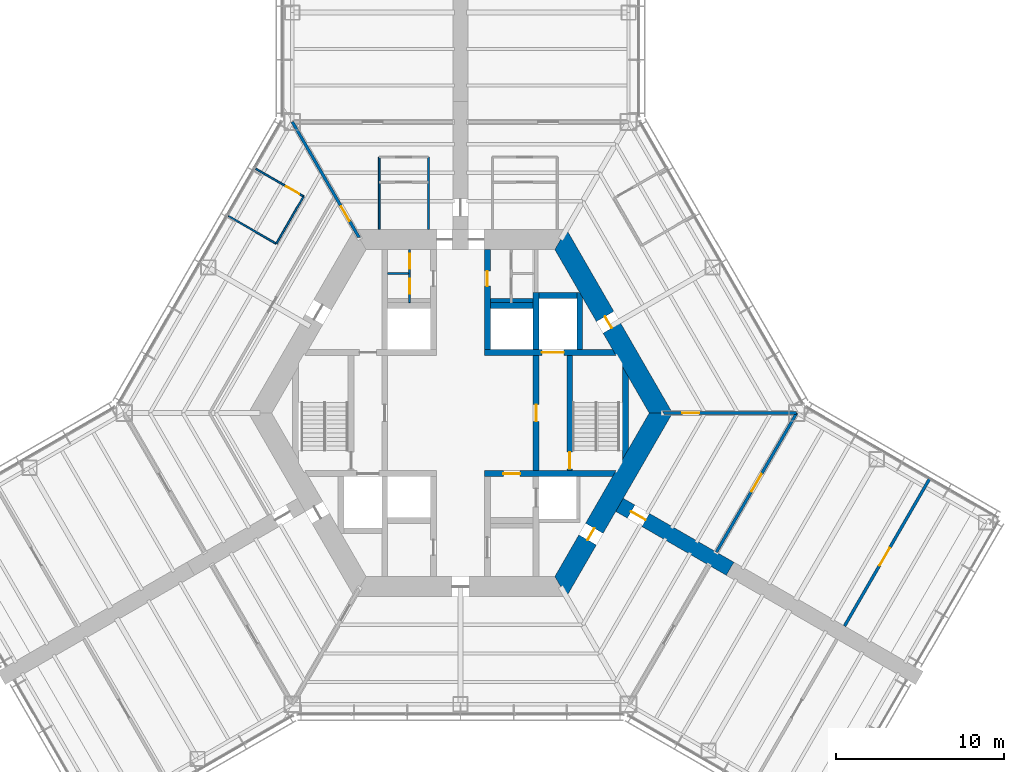
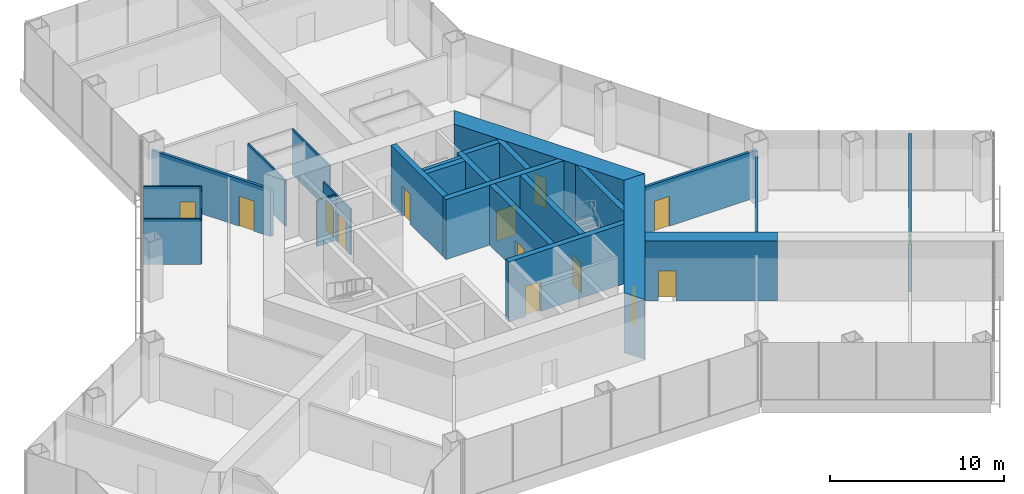
# One storey, part 12 of 16: 25 walls, 15 doors, 15 openings.
"""IFC4 building model written with IfcOpenShell, lengths in metres."""

from ifc_helpers import new_model, si_unit, direction, frame, frame_2d, origin, place, context, subcontext, project, spatial, polyline, rectangle, outline, extrude, material, layer, layer_set, type_object, element, fill, save


model = new_model("IFC4")

# Units and contexts
model_context = context("Model", 3, precision=1e-05, world=origin(), true_north=direction((0.0, 1.0)))
body_context = subcontext(model_context, "Body", "Model", "MODEL_VIEW")
ifc_project = project(units=[si_unit("LENGTHUNIT", "METRE"), si_unit("AREAUNIT", "SQUARE_METRE"), si_unit("VOLUMEUNIT", "CUBIC_METRE"), si_unit("PLANEANGLEUNIT", "RADIAN"), si_unit("MASSUNIT", "GRAM", prefix="KILO")], contexts=[model_context])

# Site, building, storey
site_placement = place(None, origin())
site = spatial("IfcSite", under=ifc_project, at=site_placement, CompositionType="ELEMENT")
building_placement = place(site_placement, origin())
building = spatial("IfcBuilding", under=site, at=building_placement, Name="Kasaneha Research Tower", CompositionType="ELEMENT")
storey_placement = place(building_placement, frame((0.0, 0.0, 10.0)))
storey = spatial("IfcBuildingStorey", under=building, at=storey_placement, Name="L03", CompositionType="ELEMENT", Elevation=10.0)

# Wall, opening, door
ifc_material_1 = material(Name="Concrete Fc100", Category="concrete")
ifc_layer_1 = layer(ifc_material_1, 0.35009765625)
ifc_layer_set_1 = layer_set([ifc_layer_1], Name="Core internal wall 350 Fc100")
wall_type_1 = type_object("IfcWallType", Name="Core internal wall 350 Fc100", PredefinedType="SHEAR", material=ifc_layer_set_1)
wall_1_placement = place(storey_placement, frame((1.425048828125, 3.60009765625, 0.0), z_axis=(0.0, 0.0, 1.0), x_axis=(1.0, 0.0, 0.0)))
wall_1 = element("IfcWall", 1, at=wall_1_placement, inside=storey, type_object=wall_type_1, Name="Core wall W1E L03", PredefinedType="SHEAR", context=body_context, shape_type="SweptSolid", body=[
    extrude(outline(polyline([(0.0, -0.175048828125), (3.425048828125, -0.175048828125), (4.72509765625, -0.175048828125), (7.8271484375, -0.175048828125), (7.625, 0.175048828125), (4.72509765625, 0.175048828125), (3.425048828125, 0.175048828125), (0.0, 0.175048828125), (0.0, -0.175048828125)])), origin(), (0.0, 0.0, 1.0), 4.199951171875),
])
opening_1_placement = place(wall_1_placement, frame((3.425048828125, 0.0, 0.0)))
opening_1 = element("IfcOpeningElement", 2, at=opening_1_placement, cuts=wall_1, Name="Opening LD-FL1-L03", PredefinedType="OPENING", context=body_context, shape_type="SweptSolid", body=[
    extrude(rectangle(XDim=1.300048828125, YDim=2.10009765625, at=frame_2d((0.64990234375, 1.050048828125))), frame((0.0, 0.18505859375, 0.0), z_axis=(0.0, -1.0, 0.0), x_axis=(1.0, 0.0, 0.0)), (0.0, 0.0, 1.0), 0.3701171875),
])
ifc_material_2 = material(Name="Steel", Category="steel")
door_type_1 = type_object("IfcDoorType", Name="Lift landing door 1300x2100", OperationType="DOUBLE_DOOR_SLIDING", PredefinedType="DOOR", material=ifc_material_2)
door_1_placement = place(opening_1_placement, origin())
door_1 = element("IfcDoor", 3, at=door_1_placement, inside=storey, type_object=door_type_1, Name="Landing door FL1 LD-FL1-L03", OperationType="DOUBLE_DOOR_SLIDING", OverallHeight=2.10009765625, OverallWidth=1.300048828125, PredefinedType="DOOR", context=body_context, shape_type="SweptSolid", body=[
    extrude(rectangle(XDim=1.300048828125, YDim=2.10009765625, at=frame_2d((0.64990234375, 1.050048828125))), frame((0.0, 0.02490234375, 0.0), z_axis=(0.0, -1.0, 0.0), x_axis=(1.0, 0.0, 0.0)), (0.0, 0.0, 1.0), 0.050048828125),
])
fill(opening_1, door_1)

wall_2_placement = place(storey_placement, frame((1.425048828125, -3.60009765625, 0.0), z_axis=(0.0, 0.0, 1.0), x_axis=(1.0, 0.0, 0.0)))
wall_2 = element("IfcWall", 4, at=wall_2_placement, inside=storey, type_object=wall_type_1, Name="Core wall W2E L03", PredefinedType="SHEAR", context=body_context, shape_type="SweptSolid", body=[
    extrude(outline(polyline([(0.0, -0.175048828125), (1.125, -0.175048828125), (2.125, -0.175048828125), (7.625, -0.175048828125), (7.8271484375, 0.175048828125), (2.125, 0.175048828125), (1.125, 0.175048828125), (0.0, 0.175048828125), (0.0, -0.175048828125)])), origin(), (0.0, 0.0, 1.0), 4.199951171875),
])
opening_2_placement = place(wall_2_placement, frame((1.125, 0.0, 0.0)))
opening_2 = element("IfcOpeningElement", 5, at=opening_2_placement, cuts=wall_2, Name="Opening L03-LV", PredefinedType="OPENING", context=body_context, shape_type="SweptSolid", body=[
    extrude(rectangle(XDim=1.0, YDim=2.10009765625, at=frame_2d((0.5, 1.050048828125))), frame((0.0, 0.18505859375, 0.0), z_axis=(0.0, -1.0, 0.0), x_axis=(1.0, 0.0, 0.0)), (0.0, 0.0, 1.0), 0.3701171875),
])
ifc_material_3 = material(Name="Steel", Category="steel")
door_type_2 = type_object("IfcDoorType", Name="Specified fire door FD60 1000x2100", OperationType="NOTDEFINED", PredefinedType="DOOR", material=ifc_material_3)
door_2_placement = place(opening_2_placement, origin())
door_2 = element("IfcDoor", 6, at=door_2_placement, inside=storey, type_object=door_type_2, Name="Podium vestibule door L03-LV", OperationType="SINGLE_SWING_LEFT", OverallHeight=2.10009765625, OverallWidth=1.0, PredefinedType="DOOR", context=body_context, shape_type="SweptSolid", body=[
    extrude(rectangle(XDim=1.0, YDim=2.10009765625, at=frame_2d((0.5, 1.050048828125))), frame((0.0, 0.02490234375, 0.0), z_axis=(0.0, -1.0, 0.0), x_axis=(1.0, 0.0, 0.0)), (0.0, 0.0, 1.0), 0.050048828125),
])
fill(opening_2, door_2)

wall_3_placement = place(storey_placement, frame((1.60009765625, 3.77490234375, 0.0), z_axis=(0.0, 0.0, 1.0), x_axis=(0.0, 1.0, 0.0)))
wall_3 = element("IfcWall", 7, at=wall_3_placement, inside=storey, type_object=wall_type_1, Name="Core wall CNE L03", PredefinedType="SHEAR", context=body_context, shape_type="SweptSolid", body=[
    extrude(rectangle(XDim=5.9501953125, YDim=0.35009765625, at=frame_2d((2.97509765625, 0.0))), origin(), (0.0, 0.0, 1.0), 4.199951171875),
])
opening_3_placement = place(wall_3_placement, frame((3.77490234375, 0.0, 0.0)))
opening_3 = element("IfcOpeningElement", 8, at=opening_3_placement, cuts=wall_3, Name="Opening L03-D14", PredefinedType="OPENING", context=body_context, shape_type="SweptSolid", body=[
    extrude(rectangle(XDim=0.89990234375, YDim=2.10009765625, at=frame_2d((0.449951171875, 1.050048828125))), frame((0.0, 0.18505859375, 0.0), z_axis=(0.0, -1.0, 0.0), x_axis=(1.0, 0.0, 0.0)), (0.0, 0.0, 1.0), 0.3701171875),
])
ifc_material_4 = material(Name="Steel", Category="steel")
door_type_3 = type_object("IfcDoorType", Name="Toilet door FD20 900x2100", OperationType="NOTDEFINED", PredefinedType="DOOR", material=ifc_material_4)
door_3_placement = place(opening_3_placement, origin())
door_3 = element("IfcDoor", 9, at=door_3_placement, inside=storey, type_object=door_type_3, Name="Women's WC door L03-D14", OperationType="SINGLE_SWING_LEFT", OverallHeight=2.10009765625, OverallWidth=0.89990234375, PredefinedType="DOOR", context=body_context, shape_type="SweptSolid", body=[
    extrude(rectangle(XDim=0.89990234375, YDim=2.10009765625, at=frame_2d((0.449951171875, 1.050048828125))), frame((0.0, 0.02490234375, 0.0), z_axis=(0.0, -1.0, 0.0), x_axis=(1.0, 0.0, 0.0)), (0.0, 0.0, 1.0), 0.050048828125),
])
fill(opening_3, door_3)

wall_4_placement = place(storey_placement, frame((4.5, -3.425048828125, 0.0), z_axis=(0.0, 0.0, 1.0), x_axis=(0.0, 1.0, 0.0)))
wall_4 = element("IfcWall", 10, at=wall_4_placement, inside=storey, type_object=wall_type_1, Name="Core wall LBE L03", PredefinedType="SHEAR", context=body_context, shape_type="SweptSolid", body=[
    extrude(rectangle(XDim=6.85009765625, YDim=0.35009765625, at=frame_2d((3.425048828125, 0.0))), origin(), (0.0, 0.0, 1.0), 4.199951171875),
])
opening_4_placement = place(wall_4_placement, frame((2.925048828125, 0.0, 0.0)))
opening_4 = element("IfcOpeningElement", 11, at=opening_4_placement, cuts=wall_4, Name="Opening L03-D08", PredefinedType="OPENING", context=body_context, shape_type="SweptSolid", body=[
    extrude(rectangle(XDim=1.0, YDim=2.10009765625, at=frame_2d((0.5, 1.050048828125))), frame((0.0, 0.18505859375, 0.0), z_axis=(0.0, -1.0, 0.0), x_axis=(1.0, 0.0, 0.0)), (0.0, 0.0, 1.0), 0.3701171875),
])
door_4_placement = place(opening_4_placement, origin())
door_4 = element("IfcDoor", 12, at=door_4_placement, inside=storey, type_object=door_type_2, Name="Lift lobby door east L03-D08", OperationType="SINGLE_SWING_LEFT", OverallHeight=2.10009765625, OverallWidth=1.0, PredefinedType="DOOR", context=body_context, shape_type="SweptSolid", body=[
    extrude(rectangle(XDim=1.0, YDim=2.10009765625, at=frame_2d((0.5, 1.050048828125))), frame((0.0, 0.02490234375, 0.0), z_axis=(0.0, -1.0, 0.0), x_axis=(1.0, 0.0, 0.0)), (0.0, 0.0, 1.0), 0.050048828125),
])
fill(opening_4, door_4)

wall_5_placement = place(storey_placement, frame((6.5, -3.425048828125, 0.0), z_axis=(0.0, 0.0, 1.0), x_axis=(0.0, 1.0, 0.0)))
wall_5 = element("IfcWall", 13, at=wall_5_placement, inside=storey, type_object=wall_type_1, Name="Core wall ANE L03", PredefinedType="SHEAR", context=body_context, shape_type="SweptSolid", body=[
    extrude(rectangle(XDim=6.85009765625, YDim=0.35009765625, at=frame_2d((3.425048828125, 0.0))), origin(), (0.0, 0.0, 1.0), 4.199951171875),
])
opening_5_placement = place(wall_5_placement, frame((0.10009765625, 0.0, 0.0)))
opening_5 = element("IfcOpeningElement", 14, at=opening_5_placement, cuts=wall_5, Name="Opening L03-D10", PredefinedType="OPENING", context=body_context, shape_type="SweptSolid", body=[
    extrude(rectangle(XDim=1.0, YDim=2.10009765625, at=frame_2d((0.5, 1.050048828125))), frame((0.0, 0.18505859375, 0.0), z_axis=(0.0, -1.0, 0.0), x_axis=(1.0, 0.0, 0.0)), (0.0, 0.0, 1.0), 0.3701171875),
])
door_5_placement = place(opening_5_placement, origin())
door_5 = element("IfcDoor", 15, at=door_5_placement, inside=storey, type_object=door_type_2, Name="Stair 1 door L03-D10", OperationType="SINGLE_SWING_LEFT", OverallHeight=2.10009765625, OverallWidth=1.0, PredefinedType="DOOR", context=body_context, shape_type="SweptSolid", body=[
    extrude(rectangle(XDim=1.0, YDim=2.10009765625, at=frame_2d((0.5, 1.050048828125))), frame((0.0, 0.02490234375, 0.0), z_axis=(0.0, -1.0, 0.0), x_axis=(1.0, 0.0, 0.0)), (0.0, 0.0, 1.0), 0.050048828125),
])
fill(opening_5, door_5)

# Walls
wall_6_placement = place(storey_placement, frame((4.5, 3.77490234375, 0.0), z_axis=(0.0, 0.0, 1.0), x_axis=(0.0, 1.0, 0.0)))
element("IfcWall", 16, at=wall_6_placement, inside=storey, type_object=wall_type_1, Name="Core wall FNE L03", PredefinedType="SHEAR", context=body_context, shape_type="SweptSolid", body=[
    extrude(rectangle(XDim=3.400146484375, YDim=0.35009765625, at=frame_2d((1.7001953125, 0.0))), origin(), (0.0, 0.0, 1.0), 4.199951171875),
])
wall_7_placement = place(storey_placement, frame((1.77490234375, 6.39990234375, 0.0), z_axis=(0.0, 0.0, 1.0), x_axis=(1.0, 0.0, 0.0)))
element("IfcWall", 17, at=wall_7_placement, inside=storey, type_object=wall_type_1, Name="Core wall N3N L03", PredefinedType="SHEAR", context=body_context, shape_type="SweptSolid", body=[
    extrude(rectangle(XDim=2.550048828125, YDim=0.35009765625, at=frame_2d((1.27490234375, 0.0))), origin(), (0.0, 0.0, 1.0), 4.199951171875),
])
wall_8_placement = place(storey_placement, frame((4.675048828125, 7.0, 0.0), z_axis=(0.0, 0.0, 1.0), x_axis=(1.0, 0.0, 0.0)))
element("IfcWall", 18, at=wall_8_placement, inside=storey, type_object=wall_type_1, Name="Core wall F1N L03", PredefinedType="SHEAR", context=body_context, shape_type="SweptSolid", body=[
    extrude(rectangle(XDim=2.25, YDim=0.35009765625, at=frame_2d((1.125, 0.0))), origin(), (0.0, 0.0, 1.0), 4.199951171875),
])
wall_9_placement = place(storey_placement, frame((7.10009765625, 3.77490234375, 0.0), z_axis=(0.0, 0.0, 1.0), x_axis=(0.0, 1.0, 0.0)))
element("IfcWall", 19, at=wall_9_placement, inside=storey, type_object=wall_type_1, Name="Core wall F1E L03", PredefinedType="SHEAR", context=body_context, shape_type="SweptSolid", body=[
    extrude(outline(polyline([(0.0, -0.175048828125), (3.07421875, -0.175048828125), (3.37744140625, 0.0), (3.39990234375, 0.175048828125), (0.0, 0.175048828125), (0.0, -0.175048828125)])), origin(), (0.0, 0.0, 1.0), 4.199951171875),
])
wall_10_placement = place(storey_placement, frame((9.807861328125, -2.462158203125, 0.0), z_axis=(0.0, 0.0, 1.0), x_axis=(0.0, 1.0, 0.0)))
element("IfcWall", 20, at=wall_10_placement, inside=storey, type_object=wall_type_1, Name="Core wall STE L03", PredefinedType="SHEAR", context=body_context, shape_type="SweptSolid", body=[
    extrude(outline(polyline([(0.30322265625, -0.175048828125), (4.62109375, -0.175048828125), (5.2275390625, 0.175048828125), (-0.30322265625, 0.175048828125), (0.30322265625, -0.175048828125)])), origin(), (0.0, 0.0, 1.0), 4.199951171875),
])

# Wall, opening, door
ifc_material_5 = material(Name="Concrete Fc100", Category="concrete")
ifc_layer_2 = layer(ifc_material_5, 1.199951171875)
ifc_layer_set_2 = layer_set([ifc_layer_2], Name="Core wall 1200 Fc100")
wall_type_2 = type_object("IfcWallType", Name="Core wall 1200 Fc100", PredefinedType="SHEAR", material=ifc_layer_set_2)
wall_11_placement = place(storey_placement, frame((11.92236328125, 0.0, 0.0), z_axis=(0.0, 0.0, 1.0), x_axis=(-0.500004296715, 0.866022923061, 0.0)))
wall_11 = element("IfcWall", 21, at=wall_11_placement, inside=storey, type_object=wall_type_2, Name="Core wall 030 L03", PredefinedType="SHEAR", context=body_context, shape_type="SweptSolid", body=[
    extrude(outline(polyline([(-0.346435546875, -0.60009765625), (5.83544921875, -0.60009765625), (6.635498046875, -0.60009765625), (12.268798828125, -0.60009765625), (11.575927734375, 0.60009765625), (6.635498046875, 0.60009765625), (5.83544921875, 0.60009765625), (0.346435546875, 0.60009765625), (-0.346435546875, -0.60009765625)])), origin(), (0.0, 0.0, 1.0), 4.199951171875),
])
opening_6_placement = place(wall_11_placement, frame((5.83544921875, 0.0, 0.0)))
opening_6 = element("IfcOpeningElement", 22, at=opening_6_placement, cuts=wall_11, Name="Opening L03-D04", PredefinedType="OPENING", context=body_context, shape_type="SweptSolid", body=[
    extrude(rectangle(XDim=0.800048828125, YDim=2.10009765625, at=frame_2d((0.39990234375, 1.050048828125))), frame((0.0, 0.60986328125, 0.0), z_axis=(0.0, -1.0, 0.0), x_axis=(1.0, 0.0, 0.0)), (0.0, 0.0, 1.0), 1.219970703125),
])
ifc_material_6 = material(Name="Steel", Category="steel")
door_type_4 = type_object("IfcDoorType", Name="Riser access door FD60 800x2100", OperationType="NOTDEFINED", PredefinedType="DOOR", material=ifc_material_6)
door_6_placement = place(opening_6_placement, origin())
door_6 = element("IfcDoor", 23, at=door_6_placement, inside=storey, type_object=door_type_4, Name="Pipe riser door L03-D04", OperationType="SINGLE_SWING_RIGHT", OverallHeight=2.10009765625, OverallWidth=0.800048828125, PredefinedType="DOOR", context=body_context, shape_type="SweptSolid", body=[
    extrude(rectangle(XDim=0.800048828125, YDim=2.10009765625, at=frame_2d((0.39990234375, 1.050048828125))), frame((0.0, 0.02490234375, 0.0), z_axis=(0.0, -1.0, 0.0), x_axis=(1.0, 0.0, 0.0)), (0.0, 0.0, 1.0), 0.050048828125),
])
fill(opening_6, door_6)

wall_12_placement = place(storey_placement, frame((5.961181640625, -10.324951171875, 0.0), z_axis=(0.0, 0.0, 1.0), x_axis=(0.500004296715, 0.866022923061, 0.0)))
wall_12 = element("IfcWall", 24, at=wall_12_placement, inside=storey, type_object=wall_type_2, Name="Core wall 330 L03", PredefinedType="SHEAR", context=body_context, shape_type="SweptSolid", body=[
    extrude(outline(polyline([(-0.346435546875, -0.60009765625), (3.20849609375, -0.60009765625), (4.008544921875, -0.60009765625), (12.268798828125, -0.60009765625), (11.575927734375, 0.60009765625), (4.008544921875, 0.60009765625), (3.20849609375, 0.60009765625), (0.346435546875, 0.60009765625), (-0.346435546875, -0.60009765625)])), origin(), (0.0, 0.0, 1.0), 4.199951171875),
])
opening_7_placement = place(wall_12_placement, frame((3.20849609375, 0.0, 0.0)))
opening_7 = element("IfcOpeningElement", 25, at=opening_7_placement, cuts=wall_12, Name="Opening L03-D05", PredefinedType="OPENING", context=body_context, shape_type="SweptSolid", body=[
    extrude(rectangle(XDim=0.800048828125, YDim=2.10009765625, at=frame_2d((0.39990234375, 1.050048828125))), frame((0.0, 0.60986328125, 0.0), z_axis=(0.0, -1.0, 0.0), x_axis=(1.0, 0.0, 0.0)), (0.0, 0.0, 1.0), 1.219970703125),
])
door_7_placement = place(opening_7_placement, origin())
door_7 = element("IfcDoor", 26, at=door_7_placement, inside=storey, type_object=door_type_4, Name="Pipe riser door L03-D05", OperationType="SINGLE_SWING_LEFT", OverallHeight=2.10009765625, OverallWidth=0.800048828125, PredefinedType="DOOR", context=body_context, shape_type="SweptSolid", body=[
    extrude(rectangle(XDim=0.800048828125, YDim=2.10009765625, at=frame_2d((0.39990234375, 1.050048828125))), frame((0.0, 0.02490234375, 0.0), z_axis=(0.0, -1.0, 0.0), x_axis=(1.0, 0.0, 0.0)), (0.0, 0.0, 1.0), 0.050048828125),
])
fill(opening_7, door_7)

ifc_material_7 = material(Name="Gypsum board on steel studs, two layers each side", Category="steel")
ifc_layer_3 = layer(ifc_material_7, 0.175048828125)
ifc_layer_set_3 = layer_set([ifc_layer_3], Name="Laboratory fire partition 175")
wall_type_3 = type_object("IfcWallType", Name="Laboratory fire partition 175", PredefinedType="PARTITIONING", material=ifc_layer_set_3)
wall_13_placement = place(storey_placement, frame((15.22509765625, -8.2705078125, 0.0), z_axis=(0.0, 0.0, 1.0), x_axis=(0.499993908199, 0.866028920859, 0.0)))
wall_13 = element("IfcWall", 27, at=wall_13_placement, inside=storey, type_object=wall_type_3, Name="Laboratory fire partition LABC-E L03", PredefinedType="PARTITIONING", context=body_context, shape_type="SweptSolid", body=[
    extrude(rectangle(XDim=9.5498046875, YDim=0.175048828125, at=frame_2d((4.77490234375, 0.0))), origin(), (0.0, 0.0, 1.0), 3.2080078125),
])
opening_8_placement = place(wall_13_placement, frame((4.175048828125, 0.0, 0.0)))
opening_8 = element("IfcOpeningElement", 28, at=opening_8_placement, cuts=wall_13, Name="Opening L03-D42", PredefinedType="OPENING", context=body_context, shape_type="SweptSolid", body=[
    extrude(rectangle(XDim=1.199951171875, YDim=2.10009765625, at=frame_2d((0.60009765625, 1.050048828125))), frame((0.0, 0.09765625, 0.0), z_axis=(0.0, -1.0, 0.0), x_axis=(1.0, 0.0, 0.0)), (0.0, 0.0, 1.0), 0.195068359375),
])
ifc_material_8 = material(Name="Steel", Category="steel")
door_type_5 = type_object("IfcDoorType", Name="Laboratory door FD60 1200x2100", OperationType="DOUBLE_DOOR_SINGLE_SWING", PredefinedType="DOOR", material=ifc_material_8)
door_8_placement = place(opening_8_placement, origin())
door_8 = element("IfcDoor", 29, at=door_8_placement, inside=storey, type_object=door_type_5, Name="Laboratory door L03-D42", OperationType="DOUBLE_DOOR_SINGLE_SWING", OverallHeight=2.10009765625, OverallWidth=1.199951171875, PredefinedType="DOOR", context=body_context, shape_type="SweptSolid", body=[
    extrude(rectangle(XDim=1.199951171875, YDim=2.10009765625, at=frame_2d((0.60009765625, 1.050048828125))), frame((0.0, 0.02490234375, 0.0), z_axis=(0.0, -1.0, 0.0), x_axis=(1.0, 0.0, 0.0)), (0.0, 0.0, 1.0), 0.050048828125),
])
fill(opening_8, door_8)

wall_14_placement = place(storey_placement, frame((22.845947265625, -12.670654296875, 0.0), z_axis=(0.0, 0.0, 1.0), x_axis=(0.50000186303, 0.866024328161, 0.0)))
wall_14 = element("IfcWall", 30, at=wall_14_placement, inside=storey, type_object=wall_type_3, Name="Laboratory fire partition SUPC-E L03", PredefinedType="PARTITIONING", context=body_context, shape_type="SweptSolid", body=[
    extrude(rectangle(XDim=10.13525390625, YDim=0.175048828125, at=frame_2d((5.067626953125, 0.0))), origin(), (0.0, 0.0, 1.0), 4.0),
])
opening_9_placement = place(wall_14_placement, frame((4.175048828125, 0.0, 0.0)))
opening_9 = element("IfcOpeningElement", 31, at=opening_9_placement, cuts=wall_14, Name="Opening L03-D43", PredefinedType="OPENING", context=body_context, shape_type="SweptSolid", body=[
    extrude(rectangle(XDim=1.199951171875, YDim=2.10009765625, at=frame_2d((0.60009765625, 1.050048828125))), frame((0.0, 0.09765625, 0.0), z_axis=(0.0, -1.0, 0.0), x_axis=(1.0, 0.0, 0.0)), (0.0, 0.0, 1.0), 0.195068359375),
])
door_9_placement = place(opening_9_placement, origin())
door_9 = element("IfcDoor", 32, at=door_9_placement, inside=storey, type_object=door_type_5, Name="Laboratory support room door L03-D43", OperationType="DOUBLE_DOOR_SINGLE_SWING", OverallHeight=2.10009765625, OverallWidth=1.199951171875, PredefinedType="DOOR", context=body_context, shape_type="SweptSolid", body=[
    extrude(rectangle(XDim=1.199951171875, YDim=2.10009765625, at=frame_2d((0.60009765625, 1.050048828125))), frame((0.0, 0.02490234375, 0.0), z_axis=(0.0, -1.0, 0.0), x_axis=(1.0, 0.0, 0.0)), (0.0, 0.0, 1.0), 0.050048828125),
])
fill(opening_9, door_9)

# Wall, openings, doors
ifc_material_9 = material(Name="Gypsum board on steel studs, one layer each side", Category="steel")
ifc_layer_4 = layer(ifc_material_9, 0.10009765625)
ifc_layer_set_4 = layer_set([ifc_layer_4], Name="Office partition 100")
wall_type_4 = type_object("IfcWallType", Name="Office partition 100", PredefinedType="PARTITIONING", material=ifc_layer_set_4)
wall_15_placement = place(storey_placement, frame((-3.02490234375, 6.574951171875, 0.0), z_axis=(0.0, 0.0, 1.0), x_axis=(0.0, 1.0, 0.0)))
wall_15 = element("IfcWall", 33, at=wall_15_placement, inside=storey, type_object=wall_type_4, Name="Office partition TBM1 L03", PredefinedType="PARTITIONING", context=body_context, shape_type="SweptSolid", body=[
    extrude(rectangle(XDim=3.150146484375, YDim=0.10009765625, at=frame_2d((1.5751953125, 0.0))), origin(), (0.0, 0.0, 1.0), 3.199951171875),
])
opening_10_placement = place(wall_15_placement, frame((0.512451171875, 0.0, 0.0)))
opening_10 = element("IfcOpeningElement", 34, at=opening_10_placement, cuts=wall_15, Name="Opening L03-D20", PredefinedType="OPENING", context=body_context, shape_type="SweptSolid", body=[
    extrude(rectangle(XDim=0.89990234375, YDim=2.10009765625, at=frame_2d((0.449951171875, 1.050048828125))), frame((0.0, 0.06005859375, 0.0), z_axis=(0.0, -1.0, 0.0), x_axis=(1.0, 0.0, 0.0)), (0.0, 0.0, 1.0), 0.1201171875),
])
opening_11_placement = place(wall_15_placement, frame((2.012451171875, 0.0, 0.0)))
opening_11 = element("IfcOpeningElement", 35, at=opening_11_placement, cuts=wall_15, Name="Opening L03-D21", PredefinedType="OPENING", context=body_context, shape_type="SweptSolid", body=[
    extrude(rectangle(XDim=0.89990234375, YDim=2.10009765625, at=frame_2d((0.449951171875, 1.050048828125))), frame((0.0, 0.06005859375, 0.0), z_axis=(0.0, -1.0, 0.0), x_axis=(1.0, 0.0, 0.0)), (0.0, 0.0, 1.0), 0.1201171875),
])
ifc_material_10 = material(Name="Steel", Category="steel")
door_type_6 = type_object("IfcDoorType", Name="Toilet lobby door FD30 900x2100", OperationType="NOTDEFINED", PredefinedType="DOOR", material=ifc_material_10)
door_10_placement = place(opening_10_placement, origin())
door_10 = element("IfcDoor", 36, at=door_10_placement, inside=storey, type_object=door_type_6, Name="Men's WC door L03-D20", OperationType="SINGLE_SWING_RIGHT", OverallHeight=2.10009765625, OverallWidth=0.89990234375, PredefinedType="DOOR", context=body_context, shape_type="SweptSolid", body=[
    extrude(rectangle(XDim=0.89990234375, YDim=2.10009765625, at=frame_2d((0.449951171875, 1.050048828125))), frame((0.0, 0.02490234375, 0.0), z_axis=(0.0, -1.0, 0.0), x_axis=(1.0, 0.0, 0.0)), (0.0, 0.0, 1.0), 0.050048828125),
])
fill(opening_10, door_10)
door_11_placement = place(opening_11_placement, origin())
door_11 = element("IfcDoor", 37, at=door_11_placement, inside=storey, type_object=door_type_6, Name="Cleaner's store door L03-D21", OperationType="SINGLE_SWING_RIGHT", OverallHeight=2.10009765625, OverallWidth=0.89990234375, PredefinedType="DOOR", context=body_context, shape_type="SweptSolid", body=[
    extrude(rectangle(XDim=0.89990234375, YDim=2.10009765625, at=frame_2d((0.449951171875, 1.050048828125))), frame((0.0, 0.02490234375, 0.0), z_axis=(0.0, -1.0, 0.0), x_axis=(1.0, 0.0, 0.0)), (0.0, 0.0, 1.0), 0.050048828125),
])
fill(opening_11, door_11)

# Walls
wall_16_placement = place(storey_placement, frame((-3.074951171875, 8.300048828125, 0.0), z_axis=(0.0, 0.0, 1.0), x_axis=(-1.0, 0.0, 0.0)))
element("IfcWall", 38, at=wall_16_placement, inside=storey, type_object=wall_type_4, Name="Office partition TBM2 L03", PredefinedType="PARTITIONING", context=body_context, shape_type="SweptSolid", body=[
    extrude(rectangle(XDim=1.25, YDim=0.10009765625, at=frame_2d((0.625, 0.0))), origin(), (0.0, 0.0, 1.0), 3.199951171875),
])
for number, where, z_axis, x_axis, name in (
    (39, (-1.89990234375, 10.925048828125, 0.0), (0.0, 0.0, 1.0), (0.0, 1.0, 0.0), "Office partition WCAW2 L03"),
    (40, (-4.82861328125, 10.925048828125, 0.0), (0.0, 0.0, 1.0), (0.0, 1.0, 0.0), "Office partition WCAW3 L03"),
):
    element("IfcWall", number, at=place(storey_placement, frame(where, z_axis=z_axis, x_axis=x_axis)), inside=storey, type_object=wall_type_4, Name=name, PredefinedType="PARTITIONING", context=body_context, shape_type="SweptSolid", body=[
        extrude(rectangle(XDim=4.300048828125, YDim=0.10009765625, at=frame_2d((2.14990234375, 0.0))), origin(), (0.0, 0.0, 1.0), 3.199951171875),
    ])

# Wall, opening, door
wall_17_placement = place(storey_placement, frame((-12.177978515625, 14.5283203125, 0.0), z_axis=(0.0, 0.0, 1.0), x_axis=(0.866033596865, -0.4999858089, 0.0)))
wall_17 = element("IfcWall", 41, at=wall_17_placement, inside=storey, type_object=wall_type_4, Name="Office partition FBN03 L03", PredefinedType="PARTITIONING", context=body_context, shape_type="SweptSolid", body=[
    extrude(rectangle(XDim=3.2900390625, YDim=0.10009765625, at=frame_2d((1.64501953125, 0.0))), origin(), (0.0, 0.0, 1.0), 3.199951171875),
])
opening_12_placement = place(wall_17_placement, frame((2.090087890625, 0.0, 0.0)))
opening_12 = element("IfcOpeningElement", 42, at=opening_12_placement, cuts=wall_17, Name="Opening L03-D38", PredefinedType="OPENING", context=body_context, shape_type="SweptSolid", body=[
    extrude(rectangle(XDim=0.89990234375, YDim=2.10009765625, at=frame_2d((0.449951171875, 1.050048828125))), frame((0.0, 0.06005859375, 0.0), z_axis=(0.0, -1.0, 0.0), x_axis=(1.0, 0.0, 0.0)), (0.0, 0.0, 1.0), 0.1201171875),
])
ifc_material_11 = material(Name="Timber veneer", Category="wood")
door_type_7 = type_object("IfcDoorType", Name="Office door 900x2100", OperationType="SINGLE_SWING_LEFT", PredefinedType="DOOR", material=ifc_material_11)
door_12_placement = place(opening_12_placement, origin())
door_12 = element("IfcDoor", 43, at=door_12_placement, inside=storey, type_object=door_type_7, Name="Cold room door L03-D38", OperationType="SINGLE_SWING_RIGHT", OverallHeight=2.10009765625, OverallWidth=0.89990234375, PredefinedType="DOOR", context=body_context, shape_type="SweptSolid", body=[
    extrude(rectangle(XDim=0.89990234375, YDim=2.10009765625, at=frame_2d((0.449951171875, 1.050048828125))), frame((0.0, 0.02490234375, 0.0), z_axis=(0.0, -1.0, 0.0), x_axis=(1.0, 0.0, 0.0)), (0.0, 0.0, 1.0), 0.050048828125),
])
fill(opening_12, door_12)

# Walls
wall_18_placement = place(storey_placement, frame((-10.951904296875, 10.07177734375, 0.0), z_axis=(0.0, 0.0, 1.0), x_axis=(-0.866040564224, 0.499973740429, 0.0)))
element("IfcWall", 44, at=wall_18_placement, inside=storey, type_object=wall_type_4, Name="Office partition FBN04 L03", PredefinedType="PARTITIONING", context=body_context, shape_type="SweptSolid", body=[
    extrude(rectangle(XDim=3.280029296875, YDim=0.10009765625, at=frame_2d((1.64013671875, 0.0))), origin(), (0.0, 0.0, 1.0), 3.199951171875),
])
wall_19_placement = place(storey_placement, frame((-9.32861328125, 12.88330078125, 0.0), z_axis=(0.0, 0.0, 1.0), x_axis=(-0.500013214685, -0.866017774148, 0.0)))
element("IfcWall", 45, at=wall_19_placement, inside=storey, type_object=wall_type_4, Name="Office partition FBN05 L03", PredefinedType="PARTITIONING", context=body_context, shape_type="SweptSolid", body=[
    extrude(rectangle(XDim=3.24658203125, YDim=0.10009765625, at=frame_2d((1.623291015625, 0.0))), origin(), (0.0, 0.0, 1.0), 3.199951171875),
])

# Wall, opening, door
ifc_material_12 = material(Name="Concrete Fc100", Category="concrete")
ifc_layer_5 = layer(ifc_material_12, 0.89990234375)
ifc_layer_set_5 = layer_set([ifc_layer_5], Name="Spine wall 900 Fc100")
wall_type_5 = type_object("IfcWallType", Name="Spine wall 900 Fc100", PredefinedType="SHEAR", material=ifc_layer_set_5)
wall_20_placement = place(storey_placement, frame((9.46142578125, -5.46240234375, 0.0), z_axis=(0.0, 0.0, 1.0), x_axis=(0.866019116917, -0.500010889016, 0.0)))
wall_20 = element("IfcWall", 46, at=wall_20_placement, inside=storey, type_object=wall_type_5, Name="Spine wall C L03", PredefinedType="SHEAR", context=body_context, shape_type="SweptSolid", body=[
    extrude(rectangle(XDim=7.595458984375, YDim=0.89990234375, at=frame_2d((3.7978515625, 0.0))), origin(), (0.0, 0.0, 1.0), 4.199951171875),
])
opening_13_placement = place(wall_20_placement, frame((0.800048828125, 0.0, 0.0)))
opening_13 = element("IfcOpeningElement", 47, at=opening_13_placement, cuts=wall_20, Name="Opening L03-D19", PredefinedType="OPENING", context=body_context, shape_type="SweptSolid", body=[
    extrude(rectangle(XDim=1.0, YDim=2.10009765625, at=frame_2d((0.5, 1.050048828125))), frame((0.0, 0.4599609375, 0.0), z_axis=(0.0, -1.0, 0.0), x_axis=(1.0, 0.0, 0.0)), (0.0, 0.0, 1.0), 0.919921875),
])
door_13_placement = place(opening_13_placement, origin())
door_13 = element("IfcDoor", 48, at=door_13_placement, inside=storey, type_object=door_type_2, Name="Spine doorway C L03-D19", OperationType="SINGLE_SWING_LEFT", OverallHeight=2.10009765625, OverallWidth=1.0, PredefinedType="DOOR", context=body_context, shape_type="SweptSolid", body=[
    extrude(rectangle(XDim=1.0, YDim=2.10009765625, at=frame_2d((0.5, 1.050048828125))), frame((0.0, 0.02490234375, 0.0), z_axis=(0.0, -1.0, 0.0), x_axis=(1.0, 0.0, 0.0)), (0.0, 0.0, 1.0), 0.050048828125),
])
fill(opening_13, door_13)

ifc_material_13 = material(Name="Gypsum board on steel studs, two layers each side", Category="steel")
ifc_layer_6 = layer(ifc_material_13, 0.175048828125)
ifc_layer_set_6 = layer_set([ifc_layer_6], Name="Tenancy fire partition 175")
wall_type_6 = type_object("IfcWallType", Name="Tenancy fire partition 175", PredefinedType="PARTITIONING", material=ifc_layer_set_6)
wall_21_placement = place(storey_placement, frame((12.070068359375, 0.0, 0.0), z_axis=(0.0, 0.0, 1.0), x_axis=(1.0, 0.0, 0.0)))
wall_21 = element("IfcWall", 49, at=wall_21_placement, inside=storey, type_object=wall_type_6, Name="Tenancy fire partition T000 L03", PredefinedType="PARTITIONING", context=body_context, shape_type="SweptSolid", body=[
    extrude(outline(polyline([(0.050537109375, -0.08740234375), (1.12939453125, -0.08740234375), (2.12939453125, -0.08740234375), (7.929931640625, -0.08740234375), (7.929931640625, 0.08740234375), (2.12939453125, 0.08740234375), (1.12939453125, 0.08740234375), (-0.050537109375, 0.08740234375), (0.050537109375, -0.08740234375)])), origin(), (0.0, 0.0, 1.0), 3.300048828125),
])
opening_14_placement = place(wall_21_placement, frame((1.12939453125, 0.0, 0.0)))
opening_14 = element("IfcOpeningElement", 50, at=opening_14_placement, cuts=wall_21, Name="Opening L03-D24", PredefinedType="OPENING", context=body_context, shape_type="SweptSolid", body=[
    extrude(rectangle(XDim=1.0, YDim=2.10009765625, at=frame_2d((0.5, 1.050048828125))), frame((0.0, 0.09765625, 0.0), z_axis=(0.0, -1.0, 0.0), x_axis=(1.0, 0.0, 0.0)), (0.0, 0.0, 1.0), 0.195068359375),
])
ifc_material_14 = material(Name="Steel", Category="steel")
door_type_8 = type_object("IfcDoorType", Name="Suite entrance door FD60 1000x2100", OperationType="NOTDEFINED", PredefinedType="DOOR", material=ifc_material_14)
door_14_placement = place(opening_14_placement, origin())
door_14 = element("IfcDoor", 51, at=door_14_placement, inside=storey, type_object=door_type_8, Name="Connecting door L03-D24", OperationType="SINGLE_SWING_LEFT", OverallHeight=2.10009765625, OverallWidth=1.0, PredefinedType="DOOR", context=body_context, shape_type="SweptSolid", body=[
    extrude(rectangle(XDim=1.0, YDim=2.10009765625, at=frame_2d((0.5, 1.050048828125))), frame((0.0, 0.02490234375, 0.0), z_axis=(0.0, -1.0, 0.0), x_axis=(1.0, 0.0, 0.0)), (0.0, 0.0, 1.0), 0.050048828125),
])
fill(opening_14, door_14)

wall_22_placement = place(storey_placement, frame((-6.03515625, 10.453125, 0.0), z_axis=(0.0, 0.0, 1.0), x_axis=(-0.499993402427, 0.866029212861, 0.0)))
wall_22 = element("IfcWall", 52, at=wall_22_placement, inside=storey, type_object=wall_type_6, Name="Tenancy fire partition T120 L03", PredefinedType="PARTITIONING", context=body_context, shape_type="SweptSolid", body=[
    extrude(outline(polyline([(-0.050537109375, -0.08740234375), (1.12939453125, -0.08740234375), (2.12939453125, -0.08740234375), (7.9296875, -0.08740234375), (7.9296875, 0.08740234375), (2.12939453125, 0.08740234375), (1.12939453125, 0.08740234375), (0.050537109375, 0.08740234375), (-0.050537109375, -0.08740234375)])), origin(), (0.0, 0.0, 1.0), 3.300048828125),
])
opening_15_placement = place(wall_22_placement, frame((1.12939453125, 0.0, 0.0)))
opening_15 = element("IfcOpeningElement", 53, at=opening_15_placement, cuts=wall_22, Name="Opening L03-D25", PredefinedType="OPENING", context=body_context, shape_type="SweptSolid", body=[
    extrude(rectangle(XDim=1.0, YDim=2.10009765625, at=frame_2d((0.5, 1.050048828125))), frame((0.0, 0.09765625, 0.0), z_axis=(0.0, -1.0, 0.0), x_axis=(1.0, 0.0, 0.0)), (0.0, 0.0, 1.0), 0.195068359375),
])
door_15_placement = place(opening_15_placement, origin())
door_15 = element("IfcDoor", 54, at=door_15_placement, inside=storey, type_object=door_type_8, Name="Connecting door L03-D25", OperationType="SINGLE_SWING_RIGHT", OverallHeight=2.10009765625, OverallWidth=1.0, PredefinedType="DOOR", context=body_context, shape_type="SweptSolid", body=[
    extrude(rectangle(XDim=1.0, YDim=2.10009765625, at=frame_2d((0.5, 1.050048828125))), frame((0.0, 0.02490234375, 0.0), z_axis=(0.0, -1.0, 0.0), x_axis=(1.0, 0.0, 0.0)), (0.0, 0.0, 1.0), 0.050048828125),
])
fill(opening_15, door_15)

# Wall
ifc_material_15 = material(Name="Concrete block lining", Category="concrete")
ifc_layer_7 = layer(ifc_material_15, 0.25)
ifc_layer_set_7 = layer_set([ifc_layer_7], Name="WC plumbing wall 250")
wall_type_7 = type_object("IfcWallType", Name="WC plumbing wall 250", PredefinedType="PLUMBINGWALL", material=ifc_layer_set_7)
wall_23_placement = place(storey_placement, frame((1.77490234375, 6.699951171875, 0.0), z_axis=(0.0, 0.0, 1.0), x_axis=(1.0, 0.0, 0.0)))
element("IfcWall", 55, at=wall_23_placement, inside=storey, type_object=wall_type_7, Name="WC plumbing wall F L03", PredefinedType="PLUMBINGWALL", context=body_context, shape_type="SweptSolid", body=[
    extrude(rectangle(XDim=2.550048828125, YDim=0.25, at=frame_2d((1.27490234375, 0.0))), origin(), (0.0, 0.0, 1.0), 4.199951171875),
])

save(model, "model.ifc")
